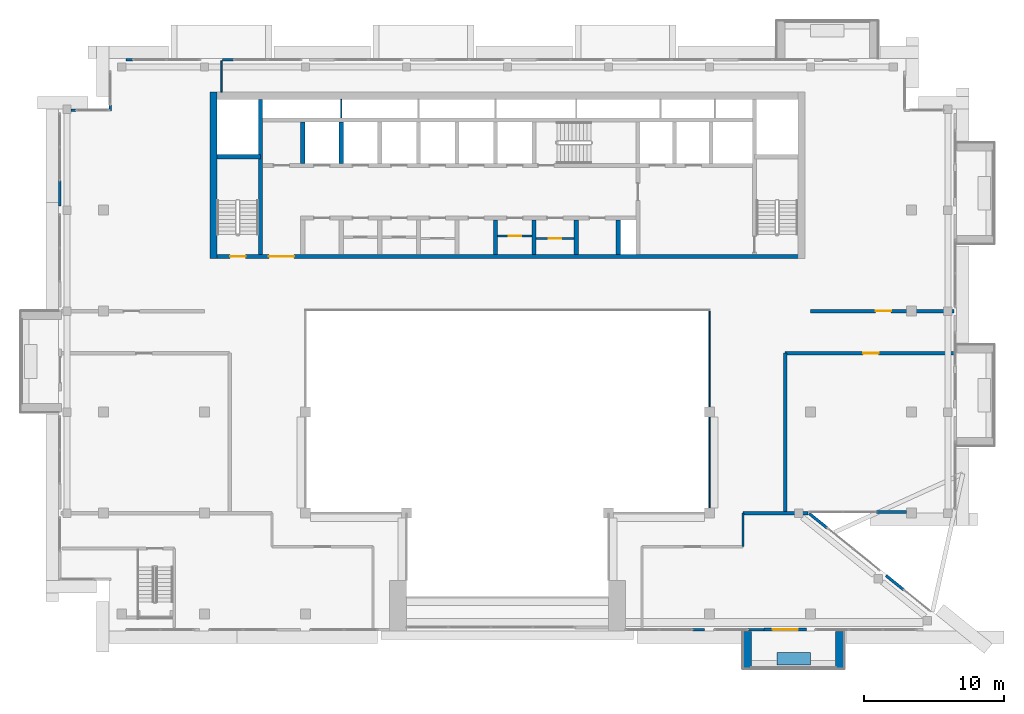
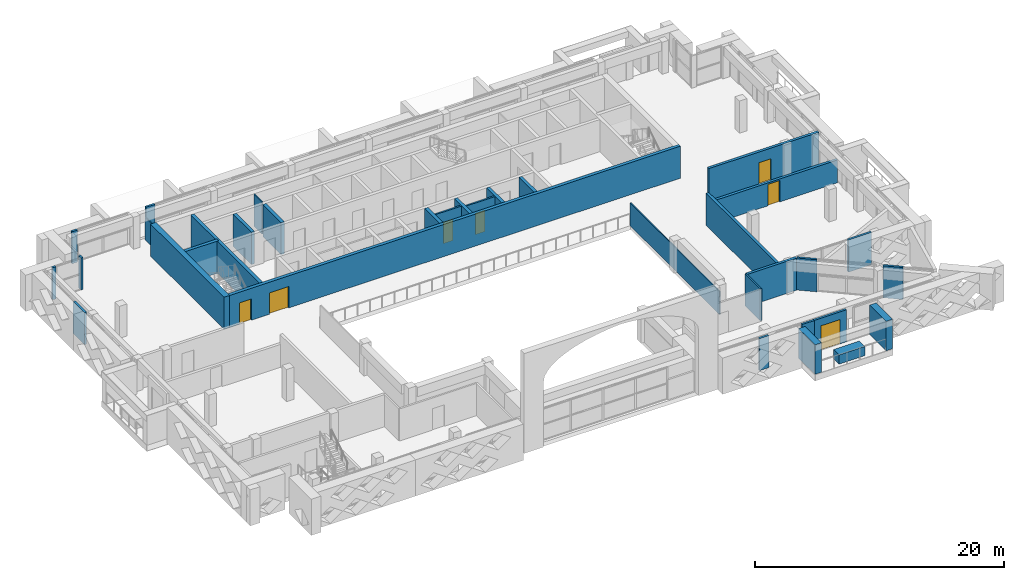
# One storey, part 13 of 22: 34 walls, 7 doors, 7 openings.
"""IFC4 building model written with IfcOpenShell, lengths in metres."""

from ifc_helpers import new_model, si_unit, direction, frame, frame_2d, origin, place, context, subcontext, project, spatial, rectangle, extrude, material, layer, layer_set, type_object, element, fill, save


model = new_model("IFC4")

# Units and contexts
model_context = context("Model", 3, precision=1e-05, world=origin(), true_north=direction((0.0, 1.0)))
body_context = subcontext(model_context, "Body", "Model", "MODEL_VIEW")
ifc_project = project(units=[si_unit("LENGTHUNIT", "METRE"), si_unit("AREAUNIT", "SQUARE_METRE"), si_unit("VOLUMEUNIT", "CUBIC_METRE"), si_unit("PLANEANGLEUNIT", "RADIAN"), si_unit("MASSUNIT", "GRAM", prefix="KILO")], contexts=[model_context])

# Site, building, storey
site_placement = place(None, origin())
site = spatial("IfcSite", under=ifc_project, at=site_placement, CompositionType="ELEMENT")
building_placement = place(site_placement, origin())
building = spatial("IfcBuilding", under=site, at=building_placement, Name="Saffron Iwan Residences", CompositionType="ELEMENT")
storey_placement = place(building_placement, frame((0.0, 0.0, 271.0)))
storey = spatial("IfcBuildingStorey", under=building, at=storey_placement, Name="L73", CompositionType="ELEMENT", Elevation=271.0)

# Walls
ifc_material_1 = material(Name="Concrete C50/60 white painted", Category="concrete")
ifc_layer_1 = layer(ifc_material_1, 0.60009765625)
ifc_layer_set_1 = layer_set([ifc_layer_1], Name="Concrete C50/60 white painted")
wall_type_1 = type_object("IfcWallType", Name="BALCONY FIN 600", PredefinedType="SOLIDWALL", material=ifc_layer_set_1)
for number, where, z_axis, x_axis, name in (
    (1, (67.5, 39.550048828125, 0.0), (0.0, 0.0, 1.0), (0.0, -1.0, 0.0), "Balcony fin L73 11-1a"),
    (2, (74.10009765625, 39.550048828125, 0.0), (0.0, 0.0, 1.0), (0.0, -1.0, 0.0), "Balcony fin L73 11-1b"),
):
    element("IfcWall", number, at=place(storey_placement, frame(where, z_axis=z_axis, x_axis=x_axis)), inside=storey, type_object=wall_type_1, Name=name, PredefinedType="SOLIDWALL", context=body_context, shape_type="SweptSolid", body=[
        extrude(rectangle(XDim=2.650146484375, YDim=0.60009765625, at=frame_2d((1.3251953125, 0.0))), origin(), (0.0, 0.0, 1.0), 2.90087890625),
    ])
ifc_material_2 = material(Name="Concrete C35/45 white painted", Category="concrete")
ifc_layer_2 = layer(ifc_material_2, 0.14990234375)
ifc_layer_set_2 = layer_set([ifc_layer_2], Name="Concrete C35/45 white painted")
wall_type_2 = type_object("IfcWallType", Name="BALCONY PLANTER", PredefinedType="SOLIDWALL", material=ifc_layer_set_2)
wall_1_placement = place(storey_placement, frame((69.60009765625, 37.625, 0.0), z_axis=(0.0, 0.0, 1.0), x_axis=(1.0, 0.0, 0.0)))
element("IfcWall", 3, at=wall_1_placement, inside=storey, type_object=wall_type_2, Name="PLANTER L73 11-1", PredefinedType="SOLIDWALL", context=body_context, shape_type="SweptSolid", body=[
    extrude(rectangle(XDim=2.39990234375, YDim=0.89990234375, at=frame_2d((1.199951171875, 0.0))), origin(), (0.0, 0.0, 1.0), 0.89990234375),
])
ifc_material_3 = material(Name="Concrete blockwork", Category="masonry")
ifc_layer_3 = layer(ifc_material_3, 0.14990234375)
ifc_layer_set_3 = layer_set([ifc_layer_3], Name="Concrete blockwork")
wall_type_3 = type_object("IfcWallType", Name="Blockwork partition 150", PredefinedType="PARTITIONING", material=ifc_layer_set_3)
wall_2_placement = place(storey_placement, frame((67.199951171875, 45.60009765625, 0.0), z_axis=(0.0, 0.0, 1.0), x_axis=(0.0, 1.0, 0.0)))
element("IfcWall", 4, at=wall_2_placement, inside=storey, type_object=wall_type_3, Name="W-L73-023", PredefinedType="PARTITIONING", context=body_context, shape_type="SweptSolid", body=[
    extrude(rectangle(XDim=2.39990234375, YDim=0.14990234375, at=frame_2d((1.199951171875, 0.0))), origin(), (0.0, 0.0, 1.0), 3.14990234375),
])

# Wall, opening, door
ifc_material_4 = material(Name="Fire-rated plasterboard partition")
ifc_layer_4 = layer(ifc_material_4, 0.14990234375)
ifc_layer_set_4 = layer_set([ifc_layer_4], Name="Fire-rated plasterboard partition")
wall_type_4 = type_object("IfcWallType", Name="Core partition 150", PredefinedType="PARTITIONING", material=ifc_layer_set_4)
wall_3_placement = place(storey_placement, frame((49.699951171875, 67.759521484375, 0.0), z_axis=(0.0, 0.0, 1.0), x_axis=(1.0, 0.0, 0.0)))
wall_3 = element("IfcWall", 5, at=wall_3_placement, inside=storey, type_object=wall_type_4, Name="Core partition P04", PredefinedType="PARTITIONING", context=body_context, shape_type="SweptSolid", body=[
    extrude(rectangle(XDim=2.449951171875, YDim=0.14990234375, at=frame_2d((1.22509765625, 0.0))), origin(), (0.0, 0.0, 1.0), 3.14990234375),
])
opening_1_placement = place(wall_3_placement, frame((0.77490234375, 0.0, 0.0)))
opening_1 = element("IfcOpeningElement", 6, at=opening_1_placement, cuts=wall_3, Name="Opening SB", PredefinedType="OPENING", context=body_context, shape_type="SweptSolid", body=[
    extrude(rectangle(XDim=0.89990234375, YDim=2.10009765625, at=frame_2d((0.449951171875, 1.050048828125))), frame((0.0, 0.0849609375, 0.0), z_axis=(0.0, -1.0, 0.0), x_axis=(1.0, 0.0, 0.0)), (0.0, 0.0, 1.0), 0.169921875),
])
ifc_material_5 = material(Name="Steel fire door", Category="steel")
door_type_1 = type_object("IfcDoorType", Name="Store door 900", OperationType="NOTDEFINED", PredefinedType="DOOR", material=ifc_material_5)
door_1_placement = place(opening_1_placement, origin())
door_1 = element("IfcDoor", 7, at=door_1_placement, inside=storey, type_object=door_type_1, Name="Door Equipment store", OperationType="SINGLE_SWING_RIGHT", OverallHeight=2.10009765625, OverallWidth=0.89990234375, PredefinedType="DOOR", context=body_context, shape_type="SweptSolid", body=[
    extrude(rectangle(XDim=0.89990234375, YDim=2.10009765625, at=frame_2d((0.449951171875, 1.050048828125))), frame((0.0, 0.02490234375, 0.0), z_axis=(0.0, -1.0, 0.0), x_axis=(1.0, 0.0, 0.0)), (0.0, 0.0, 1.0), 0.050048828125),
])
fill(opening_1, door_1)

wall_4_placement = place(storey_placement, frame((52.449951171875, 67.5654296875, 0.0), z_axis=(0.0, 0.0, 1.0), x_axis=(1.0, 0.0, 0.0)))
wall_4 = element("IfcWall", 8, at=wall_4_placement, inside=storey, type_object=wall_type_4, Name="Core partition P05", PredefinedType="PARTITIONING", context=body_context, shape_type="SweptSolid", body=[
    extrude(rectangle(XDim=2.699951171875, YDim=0.14990234375, at=frame_2d((1.35009765625, 0.0))), origin(), (0.0, 0.0, 1.0), 3.14990234375),
])
opening_2_placement = place(wall_4_placement, frame((0.89990234375, 0.0, 0.0)))
opening_2 = element("IfcOpeningElement", 9, at=opening_2_placement, cuts=wall_4, Name="Opening SB", PredefinedType="OPENING", context=body_context, shape_type="SweptSolid", body=[
    extrude(rectangle(XDim=0.89990234375, YDim=2.10009765625, at=frame_2d((0.449951171875, 1.050048828125))), frame((0.0, 0.0849609375, 0.0), z_axis=(0.0, -1.0, 0.0), x_axis=(1.0, 0.0, 0.0)), (0.0, 0.0, 1.0), 0.169921875),
])
door_2_placement = place(opening_2_placement, origin())
door_2 = element("IfcDoor", 10, at=door_2_placement, inside=storey, type_object=door_type_1, Name="Door Records store", OperationType="SINGLE_SWING_RIGHT", OverallHeight=2.10009765625, OverallWidth=0.89990234375, PredefinedType="DOOR", context=body_context, shape_type="SweptSolid", body=[
    extrude(rectangle(XDim=0.89990234375, YDim=2.10009765625, at=frame_2d((0.449951171875, 1.050048828125))), frame((0.0, 0.02490234375, 0.0), z_axis=(0.0, -1.0, 0.0), x_axis=(1.0, 0.0, 0.0)), (0.0, 0.0, 1.0), 0.050048828125),
])
fill(opening_2, door_2)

# Walls
ifc_material_6 = material(Name="Concrete C40/50", Category="concrete")
ifc_layer_5 = layer(ifc_material_6, 0.199951171875)
ifc_layer_set_5 = layer_set([ifc_layer_5], Name="Concrete C40/50")
wall_type_5 = type_object("IfcWallType", Name="EXTERNAL WALL 200", PredefinedType="SOLIDWALL", material=ifc_layer_set_5)
wall_5_placement = place(storey_placement, frame((78.635498046875, 42.53759765625, 0.0), z_axis=(0.0, 0.0, 1.0), x_axis=(-0.777901266838, 0.628386520425, 0.0)))
element("IfcWall", 11, at=wall_5_placement, inside=storey, type_object=wall_type_5, Name="External wall infill CWE-L73-F0-1", PredefinedType="SOLIDWALL", context=body_context, shape_type="SweptSolid", body=[
    extrude(rectangle(XDim=1.610107421875, YDim=0.199951171875, at=frame_2d((0.80517578125, 0.0))), origin(), (0.0, 0.0, 1.0), 3.14990234375),
])
wall_6_placement = place(storey_placement, frame((73.18212890625, 46.9423828125, 0.0), z_axis=(0.0, 0.0, 1.0), x_axis=(-0.777921556204, 0.628361402692, 0.0)))
element("IfcWall", 12, at=wall_6_placement, inside=storey, type_object=wall_type_5, Name="External wall infill CWE-L73-F0-2", PredefinedType="SOLIDWALL", context=body_context, shape_type="SweptSolid", body=[
    extrude(rectangle(XDim=1.63720703125, YDim=0.199951171875, at=frame_2d((0.818603515625, 0.0))), origin(), (0.0, 0.0, 1.0), 3.14990234375),
])
wall_7_placement = place(storey_placement, frame((76.70361328125, 48.080078125, 0.0), z_axis=(0.0, 0.0, 1.0), x_axis=(1.0, 0.0, 0.0)))
element("IfcWall", 13, at=wall_7_placement, inside=storey, type_object=wall_type_5, Name="External wall infill CWE-L73-F1-0", PredefinedType="SOLIDWALL", context=body_context, shape_type="SweptSolid", body=[
    extrude(rectangle(XDim=2.146484375, YDim=0.199951171875, at=frame_2d((1.0732421875, 0.0))), origin(), (0.0, 0.0, 1.0), 3.14990234375),
])
wall_8_placement = place(storey_placement, frame((30.89990234375, 80.320068359375, 0.0), z_axis=(0.0, 0.0, 1.0), x_axis=(-1.0, 0.0, 0.0)))
element("IfcWall", 14, at=wall_8_placement, inside=storey, type_object=wall_type_5, Name="External wall infill CWE-L73-F5-6", PredefinedType="SOLIDWALL", context=body_context, shape_type="SweptSolid", body=[
    extrude(rectangle(XDim=0.829833984375, YDim=0.199951171875, at=frame_2d((0.4150390625, 0.0))), origin(), (0.0, 0.0, 1.0), 3.14990234375),
])
wall_9_placement = place(storey_placement, frame((23.699951171875, 80.320068359375, 0.0), z_axis=(0.0, 0.0, 1.0), x_axis=(-1.0, 0.0, 0.0)))
element("IfcWall", 15, at=wall_9_placement, inside=storey, type_object=wall_type_5, Name="External wall infill CWE-L73-F5-7", PredefinedType="SOLIDWALL", context=body_context, shape_type="SweptSolid", body=[
    extrude(rectangle(XDim=0.5, YDim=0.199951171875, at=frame_2d((0.25, 0.0))), origin(), (0.0, 0.0, 1.0), 3.14990234375),
])
wall_10_placement = place(storey_placement, frame((22.080078125, 77.10009765625, 0.0), z_axis=(0.0, 0.0, 1.0), x_axis=(0.0, -1.0, 0.0)))
element("IfcWall", 16, at=wall_10_placement, inside=storey, type_object=wall_type_5, Name="External wall infill CWE-L73-F6-0", PredefinedType="SOLIDWALL", context=body_context, shape_type="SweptSolid", body=[
    extrude(rectangle(XDim=0.43017578125, YDim=0.199951171875, at=frame_2d((0.215087890625, 0.0))), origin(), (0.0, 0.0, 1.0), 3.14990234375),
])
wall_11_placement = place(storey_placement, frame((19.6298828125, 76.719970703125, 0.0), z_axis=(0.0, 0.0, 1.0), x_axis=(-1.0, 0.0, 0.0)))
element("IfcWall", 17, at=wall_11_placement, inside=storey, type_object=wall_type_5, Name="External wall infill CWE-L73-F7-0", PredefinedType="SOLIDWALL", context=body_context, shape_type="SweptSolid", body=[
    extrude(rectangle(XDim=0.329833984375, YDim=0.199951171875, at=frame_2d((0.1650390625, 0.0))), origin(), (0.0, 0.0, 1.0), 3.14990234375),
])
wall_12_placement = place(storey_placement, frame((18.47998046875, 71.699951171875, 0.0), z_axis=(0.0, 0.0, 1.0), x_axis=(0.0, -1.0, 0.0)))
element("IfcWall", 18, at=wall_12_placement, inside=storey, type_object=wall_type_5, Name="External wall infill CWE-L73-F8-0", PredefinedType="SOLIDWALL", context=body_context, shape_type="SweptSolid", body=[
    extrude(rectangle(XDim=1.800048828125, YDim=0.199951171875, at=frame_2d((0.89990234375, 0.0))), origin(), (0.0, 0.0, 1.0), 3.14990234375),
])

# Wall, opening, door
wall_13_placement = place(storey_placement, frame((68.699951171875, 39.699951171875, 0.0), z_axis=(0.0, 0.0, 1.0), x_axis=(1.0, 0.0, 0.0)))
wall_13 = element("IfcWall", 19, at=wall_13_placement, inside=storey, type_object=wall_type_5, Name="External wall L73 F11.D0", PredefinedType="SOLIDWALL", context=body_context, shape_type="SweptSolid", body=[
    extrude(rectangle(XDim=3.0, YDim=0.199951171875, at=frame_2d((1.5, 0.0))), origin(), (0.0, 0.0, 1.0), 3.14990234375),
])
opening_3_placement = place(wall_13_placement, frame((0.60009765625, 0.0, 0.0)))
opening_3 = element("IfcOpeningElement", 20, at=opening_3_placement, cuts=wall_13, Name="Opening BD1", PredefinedType="OPENING", context=body_context, shape_type="SweptSolid", body=[
    extrude(rectangle(XDim=1.800048828125, YDim=2.39990234375, at=frame_2d((0.89990234375, 1.199951171875))), frame((0.0, 0.10986328125, 0.0), z_axis=(0.0, -1.0, 0.0), x_axis=(1.0, 0.0, 0.0)), (0.0, 0.0, 1.0), 0.219970703125),
])
ifc_material_7 = material(Name="Clear glass, laminated double glazed", Category="glass")
door_type_2 = type_object("IfcDoorType", Name="BALCONY DOOR 1800 x 2400", OperationType="DOUBLE_DOOR_SLIDING", PredefinedType="DOOR", material=ifc_material_7)
door_3_placement = place(opening_3_placement, origin())
door_3 = element("IfcDoor", 21, at=door_3_placement, inside=storey, type_object=door_type_2, Name="Terrace door L73 F11.0", OperationType="DOUBLE_DOOR_SLIDING", OverallHeight=2.39990234375, OverallWidth=1.800048828125, PredefinedType="DOOR", context=body_context, shape_type="SweptSolid", body=[
    extrude(rectangle(XDim=1.800048828125, YDim=2.39990234375, at=frame_2d((0.89990234375, 1.199951171875))), frame((0.0, 0.02490234375, 0.0), z_axis=(0.0, -1.0, 0.0), x_axis=(1.0, 0.0, 0.0)), (0.0, 0.0, 1.0), 0.050048828125),
])
fill(opening_3, door_3)

# Walls
wall_14_placement = place(storey_placement, frame((63.60009765625, 39.679931640625, 0.0), z_axis=(0.0, 0.0, 1.0), x_axis=(1.0, 0.0, 0.0)))
element("IfcWall", 22, at=wall_14_placement, inside=storey, type_object=wall_type_5, Name="External wall infill CWE-L73-F11-3", PredefinedType="SOLIDWALL", context=body_context, shape_type="SweptSolid", body=[
    extrude(rectangle(XDim=0.849853515625, YDim=0.199951171875, at=frame_2d((0.4248046875, 0.0))), origin(), (0.0, 0.0, 1.0), 3.14990234375),
])
wall_15_placement = place(storey_placement, frame((67.550048828125, 39.679931640625, 0.0), z_axis=(0.0, 0.0, 1.0), x_axis=(1.0, 0.0, 0.0)))
element("IfcWall", 23, at=wall_15_placement, inside=storey, type_object=wall_type_5, Name="External wall infill CWE-L73-F11-4", PredefinedType="SOLIDWALL", context=body_context, shape_type="SweptSolid", body=[
    extrude(rectangle(XDim=1.14990234375, YDim=0.199951171875, at=frame_2d((0.574951171875, 0.0))), origin(), (0.0, 0.0, 1.0), 3.14990234375),
])
ifc_layer_6 = layer(ifc_material_6, 0.25)
ifc_layer_set_6 = layer_set([ifc_layer_6], Name="Concrete C40/50")
wall_type_6 = type_object("IfcWallType", Name="Fire compartment wall 250", PredefinedType="SOLIDWALL", material=ifc_layer_set_6)
wall_16_placement = place(storey_placement, frame((67.199951171875, 48.0, 0.0), z_axis=(0.0, 0.0, 1.0), x_axis=(1.0, 0.0, 0.0)))
element("IfcWall", 24, at=wall_16_placement, inside=storey, type_object=wall_type_6, Name="W-L73-008", PredefinedType="SOLIDWALL", context=body_context, shape_type="SweptSolid", body=[
    extrude(rectangle(XDim=4.630126953125, YDim=0.25, at=frame_2d((2.31494140625, 0.0))), origin(), (0.0, 0.0, 1.0), 3.14990234375),
])

# Wall, opening, door
wall_17_placement = place(storey_placement, frame((70.199951171875, 59.39990234375, 0.0), z_axis=(0.0, 0.0, 1.0), x_axis=(1.0, 0.0, 0.0)))
wall_17 = element("IfcWall", 25, at=wall_17_placement, inside=storey, type_object=wall_type_6, Name="W-L73-010", PredefinedType="SOLIDWALL", context=body_context, shape_type="SweptSolid", body=[
    extrude(rectangle(XDim=12.030029296875, YDim=0.25, at=frame_2d((6.01513671875, 0.0))), origin(), (0.0, 0.0, 1.0), 2.25),
])
opening_4_placement = place(wall_17_placement, frame((5.550048828125, 0.0, 0.0)))
opening_4 = element("IfcOpeningElement", 26, at=opening_4_placement, cuts=wall_17, Name="Opening L73.05", PredefinedType="OPENING", context=body_context, shape_type="SweptSolid", body=[
    extrude(rectangle(XDim=1.10009765625, YDim=2.10009765625, at=frame_2d((0.550048828125, 1.050048828125))), frame((0.0, 0.135009765625, 0.0), z_axis=(0.0, -1.0, 0.0), x_axis=(1.0, 0.0, 0.0)), (0.0, 0.0, 1.0), 0.27001953125),
])
ifc_material_8 = material(Name="Timber", Category="wood")
door_type_3 = type_object("IfcDoorType", Name="Door 1100x2100", OperationType="NOTDEFINED", PredefinedType="DOOR", material=ifc_material_8)
door_4_placement = place(opening_4_placement, origin())
door_4 = element("IfcDoor", 27, at=door_4_placement, inside=storey, type_object=door_type_3, Name="D-L73-005", OperationType="SINGLE_SWING_RIGHT", OverallHeight=2.10009765625, OverallWidth=1.10009765625, PredefinedType="DOOR", context=body_context, shape_type="SweptSolid", body=[
    extrude(rectangle(XDim=1.10009765625, YDim=2.10009765625, at=frame_2d((0.550048828125, 1.050048828125))), frame((0.0, 0.02490234375, 0.0), z_axis=(0.0, -1.0, 0.0), x_axis=(1.0, 0.0, 0.0)), (0.0, 0.0, 1.0), 0.050048828125),
])
fill(opening_4, door_4)

wall_18_placement = place(storey_placement, frame((72.0, 62.39990234375, 0.0), z_axis=(0.0, 0.0, 1.0), x_axis=(1.0, 0.0, 0.0)))
wall_18 = element("IfcWall", 28, at=wall_18_placement, inside=storey, type_object=wall_type_6, Name="W-L73-012", PredefinedType="SOLIDWALL", context=body_context, shape_type="SweptSolid", body=[
    extrude(rectangle(XDim=10.22998046875, YDim=0.25, at=frame_2d((5.114990234375, 0.0))), origin(), (0.0, 0.0, 1.0), 3.14990234375),
])
opening_5_placement = place(wall_18_placement, frame((4.64990234375, 0.0, 0.0)))
opening_5 = element("IfcOpeningElement", 29, at=opening_5_placement, cuts=wall_18, Name="Opening L73.06", PredefinedType="OPENING", context=body_context, shape_type="SweptSolid", body=[
    extrude(rectangle(XDim=1.10009765625, YDim=2.10009765625, at=frame_2d((0.550048828125, 1.050048828125))), frame((0.0, 0.135009765625, 0.0), z_axis=(0.0, -1.0, 0.0), x_axis=(1.0, 0.0, 0.0)), (0.0, 0.0, 1.0), 0.27001953125),
])
door_5_placement = place(opening_5_placement, origin())
door_5 = element("IfcDoor", 30, at=door_5_placement, inside=storey, type_object=door_type_3, Name="D-L73-006", OperationType="SINGLE_SWING_RIGHT", OverallHeight=2.10009765625, OverallWidth=1.10009765625, PredefinedType="DOOR", context=body_context, shape_type="SweptSolid", body=[
    extrude(rectangle(XDim=1.10009765625, YDim=2.10009765625, at=frame_2d((0.550048828125, 1.050048828125))), frame((0.0, 0.02490234375, 0.0), z_axis=(0.0, -1.0, 0.0), x_axis=(1.0, 0.0, 0.0)), (0.0, 0.0, 1.0), 0.050048828125),
])
fill(opening_5, door_5)

# Walls
wall_19_placement = place(storey_placement, frame((70.199951171875, 48.125, 0.0), z_axis=(0.0, 0.0, 1.0), x_axis=(0.0, 1.0, 0.0)))
element("IfcWall", 31, at=wall_19_placement, inside=storey, type_object=wall_type_6, Name="W-L73-024", PredefinedType="SOLIDWALL", context=body_context, shape_type="SweptSolid", body=[
    extrude(rectangle(XDim=11.27490234375, YDim=0.25, at=frame_2d((5.637451171875, 0.0))), origin(), (0.0, 0.0, 1.0), 3.14990234375),
])
ifc_material_9 = material(Name="Glass", Category="glass")
ifc_layer_7 = layer(ifc_material_9, 0.10009765625)
ifc_layer_set_7 = layer_set([ifc_layer_7], Name="Glass")
wall_type_7 = type_object("IfcWallType", Name="Glazed screen wall 100", PredefinedType="PARTITIONING", material=ifc_layer_set_7)
wall_20_placement = place(storey_placement, frame((30.0, 78.001953125, 0.0), z_axis=(0.0, 0.0, 1.0), x_axis=(0.0, 1.0, 0.0)))
element("IfcWall", 32, at=wall_20_placement, inside=storey, type_object=wall_type_7, Name="W-L73-014", PredefinedType="PARTITIONING", context=body_context, shape_type="SweptSolid", body=[
    extrude(rectangle(XDim=2.22802734375, YDim=0.10009765625, at=frame_2d((1.114013671875, 0.0))), origin(), (0.0, 0.0, 1.0), 2.25),
])
wall_21_placement = place(storey_placement, frame((64.800048828125, 48.0, 0.0), z_axis=(0.0, 0.0, 1.0), x_axis=(0.0, 1.0, 0.0)))
element("IfcWall", 33, at=wall_21_placement, inside=storey, type_object=wall_type_7, Name="W-L73-022", PredefinedType="PARTITIONING", context=body_context, shape_type="SweptSolid", body=[
    extrude(rectangle(XDim=14.39990234375, YDim=0.10009765625, at=frame_2d((7.199951171875, 0.0))), origin(), (0.0, 0.0, 1.0), 2.25),
])
ifc_layer_8 = layer(ifc_material_4, 0.10009765625)
ifc_layer_set_8 = layer_set([ifc_layer_8], Name="Fire-rated plasterboard partition")
wall_type_8 = type_object("IfcWallType", Name="Riser partition 100", PredefinedType="PARTITIONING", material=ifc_layer_set_8)
wall_22_placement = place(storey_placement, frame((38.550048828125, 76.175048828125, 0.0), z_axis=(0.0, 0.0, 1.0), x_axis=(0.0, 1.0, 0.0)))
element("IfcWall", 34, at=wall_22_placement, inside=storey, type_object=wall_type_8, Name="Core partition P06", PredefinedType="PARTITIONING", context=body_context, shape_type="SweptSolid", body=[
    extrude(rectangle(XDim=1.324951171875, YDim=0.10009765625, at=frame_2d((0.66259765625, 0.0))), origin(), (0.0, 0.0, 1.0), 3.14990234375),
])

# Wall, openings, doors
ifc_layer_9 = layer(ifc_material_6, 0.300048828125)
ifc_layer_set_9 = layer_set([ifc_layer_9], Name="Concrete C40/50")
wall_type_9 = type_object("IfcWallType", Name="WALL CORE 300 C40/50 3150 HIGH", PredefinedType="SHEAR", material=ifc_layer_set_9)
wall_23_placement = place(storey_placement, frame((29.199951171875, 66.300048828125, 0.0), z_axis=(0.0, 0.0, 1.0), x_axis=(1.0, 0.0, 0.0)))
wall_23 = element("IfcWall", 35, at=wall_23_placement, inside=storey, type_object=wall_type_9, Name="Core wall", PredefinedType="SHEAR", context=body_context, shape_type="SweptSolid", body=[
    extrude(rectangle(XDim=42.400146484375, YDim=0.300048828125, at=frame_2d((21.2001953125, 0.0))), origin(), (0.0, 0.0, 1.0), 3.14990234375),
])
opening_6_placement = place(wall_23_placement, frame((1.425048828125, 0.0, 0.0)))
opening_6 = element("IfcOpeningElement", 36, at=opening_6_placement, cuts=wall_23, Name="Opening SD", PredefinedType="OPENING", context=body_context, shape_type="SweptSolid", body=[
    extrude(rectangle(XDim=1.10009765625, YDim=2.10009765625, at=frame_2d((0.550048828125, 1.050048828125))), frame((0.0, 0.16015625, 0.0), z_axis=(0.0, -1.0, 0.0), x_axis=(1.0, 0.0, 0.0)), (0.0, 0.0, 1.0), 0.320068359375),
])
opening_7_placement = place(wall_23_placement, frame((4.199951171875, 0.0, 0.0)))
opening_7 = element("IfcOpeningElement", 37, at=opening_7_placement, cuts=wall_23, Name="Opening DD", PredefinedType="OPENING", context=body_context, shape_type="SweptSolid", body=[
    extrude(rectangle(XDim=1.800048828125, YDim=2.10009765625, at=frame_2d((0.89990234375, 1.050048828125))), frame((0.0, 0.16015625, 0.0), z_axis=(0.0, -1.0, 0.0), x_axis=(1.0, 0.0, 0.0)), (0.0, 0.0, 1.0), 0.320068359375),
])
door_type_4 = type_object("IfcDoorType", Name="Lobby double door 1800", OperationType="DOUBLE_DOOR_SINGLE_SWING", PredefinedType="DOOR", material=ifc_material_5)
door_6_placement = place(opening_7_placement, origin())
door_6 = element("IfcDoor", 38, at=door_6_placement, inside=storey, type_object=door_type_4, Name="Lobby doors", OperationType="DOUBLE_DOOR_SINGLE_SWING", OverallHeight=2.10009765625, OverallWidth=1.800048828125, PredefinedType="DOOR", context=body_context, shape_type="SweptSolid", body=[
    extrude(rectangle(XDim=1.800048828125, YDim=2.10009765625, at=frame_2d((0.89990234375, 1.050048828125))), frame((0.0, 0.02490234375, 0.0), z_axis=(0.0, -1.0, 0.0), x_axis=(1.0, 0.0, 0.0)), (0.0, 0.0, 1.0), 0.050048828125),
])
fill(opening_7, door_6)
door_type_5 = type_object("IfcDoorType", Name="Stair door 1100", OperationType="NOTDEFINED", PredefinedType="DOOR", material=ifc_material_5)
door_7_placement = place(opening_6_placement, origin())
door_7 = element("IfcDoor", 39, at=door_7_placement, inside=storey, type_object=door_type_5, Name="Stair door ST-W", OperationType="SINGLE_SWING_LEFT", OverallHeight=2.10009765625, OverallWidth=1.10009765625, PredefinedType="DOOR", context=body_context, shape_type="SweptSolid", body=[
    extrude(rectangle(XDim=1.10009765625, YDim=2.10009765625, at=frame_2d((0.550048828125, 1.050048828125))), frame((0.0, 0.02490234375, 0.0), z_axis=(0.0, -1.0, 0.0), x_axis=(1.0, 0.0, 0.0)), (0.0, 0.0, 1.0), 0.050048828125),
])
fill(opening_6, door_7)

# Walls
wall_24_placement = place(storey_placement, frame((29.699951171875, 73.39990234375, 0.0), z_axis=(0.0, 0.0, 1.0), x_axis=(1.0, 0.0, 0.0)))
element("IfcWall", 40, at=wall_24_placement, inside=storey, type_object=wall_type_9, Name="Core wall", PredefinedType="SHEAR", context=body_context, shape_type="SweptSolid", body=[
    extrude(rectangle(XDim=3.10009765625, YDim=0.300048828125, at=frame_2d((1.550048828125, 0.0))), origin(), (0.0, 0.0, 1.0), 3.14990234375),
])
wall_25_placement = place(storey_placement, frame((32.800048828125, 66.449951171875, 0.0), z_axis=(0.0, 0.0, 1.0), x_axis=(0.0, 1.0, 0.0)))
element("IfcWall", 41, at=wall_25_placement, inside=storey, type_object=wall_type_9, Name="Core wall", PredefinedType="SHEAR", context=body_context, shape_type="SweptSolid", body=[
    extrude(rectangle(XDim=11.050048828125, YDim=0.300048828125, at=frame_2d((5.52490234375, 0.0))), origin(), (0.0, 0.0, 1.0), 3.14990234375),
])
for number, where, z_axis, x_axis, name in (
    (42, (49.550048828125, 66.449951171875, 0.0), (0.0, 0.0, 1.0), (0.0, 1.0, 0.0), "Core wall"),
    (43, (52.300048828125, 66.449951171875, 0.0), (0.0, 0.0, 1.0), (0.0, 1.0, 0.0), "Core wall"),
    (44, (55.300048828125, 66.449951171875, 0.0), (0.0, 0.0, 1.0), (0.0, 1.0, 0.0), "Core wall"),
    (45, (58.300048828125, 66.449951171875, 0.0), (0.0, 0.0, 1.0), (0.0, 1.0, 0.0), "Core wall"),
):
    element("IfcWall", number, at=place(storey_placement, frame(where, z_axis=z_axis, x_axis=x_axis)), inside=storey, type_object=wall_type_9, Name=name, PredefinedType="SHEAR", context=body_context, shape_type="SweptSolid", body=[
        extrude(rectangle(XDim=2.425048828125, YDim=0.300048828125, at=frame_2d((1.21240234375, 0.0))), origin(), (0.0, 0.0, 1.0), 3.14990234375),
    ])
for number, where, z_axis, x_axis, name in (
    (46, (35.800048828125, 72.925048828125, 0.0), (0.0, 0.0, 1.0), (0.0, 1.0, 0.0), "Core wall"),
    (47, (38.550048828125, 72.925048828125, 0.0), (0.0, 0.0, 1.0), (0.0, 1.0, 0.0), "Core wall"),
):
    element("IfcWall", number, at=place(storey_placement, frame(where, z_axis=z_axis, x_axis=x_axis)), inside=storey, type_object=wall_type_9, Name=name, PredefinedType="SHEAR", context=body_context, shape_type="SweptSolid", body=[
        extrude(rectangle(XDim=2.949951171875, YDim=0.300048828125, at=frame_2d((1.47509765625, 0.0))), origin(), (0.0, 0.0, 1.0), 3.14990234375),
    ])
ifc_layer_10 = layer(ifc_material_6, 0.5)
ifc_layer_set_10 = layer_set([ifc_layer_10], Name="Concrete C40/50")
wall_type_10 = type_object("IfcWallType", Name="WALL CORE 500 C40/50 3150 HIGH", PredefinedType="SHEAR", material=ifc_layer_set_10)
wall_26_placement = place(storey_placement, frame((29.449951171875, 66.14990234375, 0.0), z_axis=(0.0, 0.0, 1.0), x_axis=(0.0, 1.0, 0.0)))
element("IfcWall", 48, at=wall_26_placement, inside=storey, type_object=wall_type_10, Name="Core wall", PredefinedType="SHEAR", context=body_context, shape_type="SweptSolid", body=[
    extrude(rectangle(XDim=11.85009765625, YDim=0.5, at=frame_2d((5.925048828125, 0.0))), origin(), (0.0, 0.0, 1.0), 3.14990234375),
])

save(model, "model.ifc")
